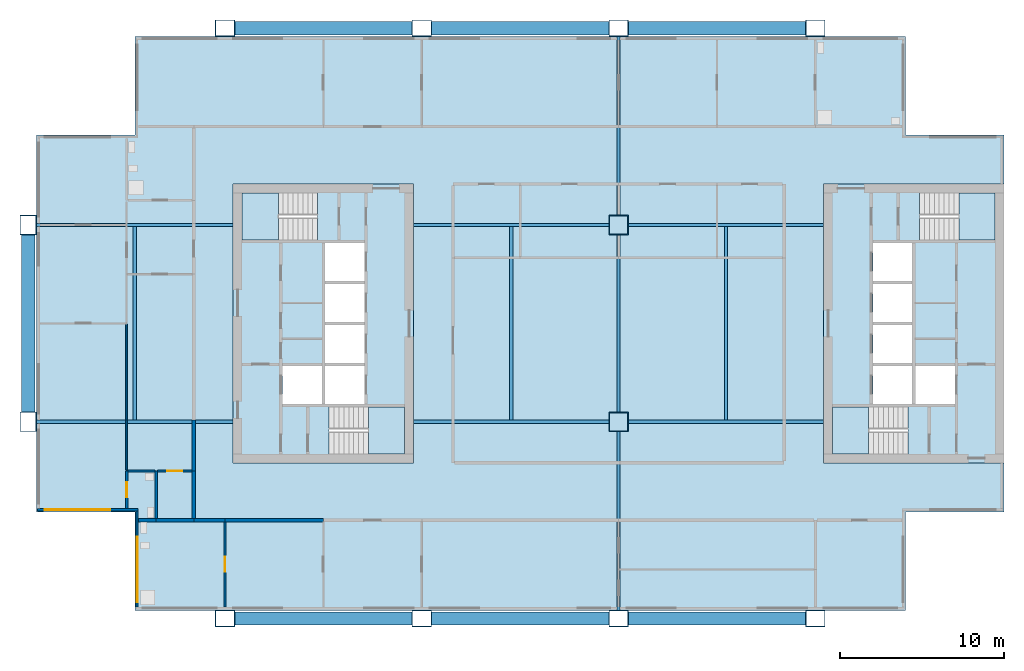
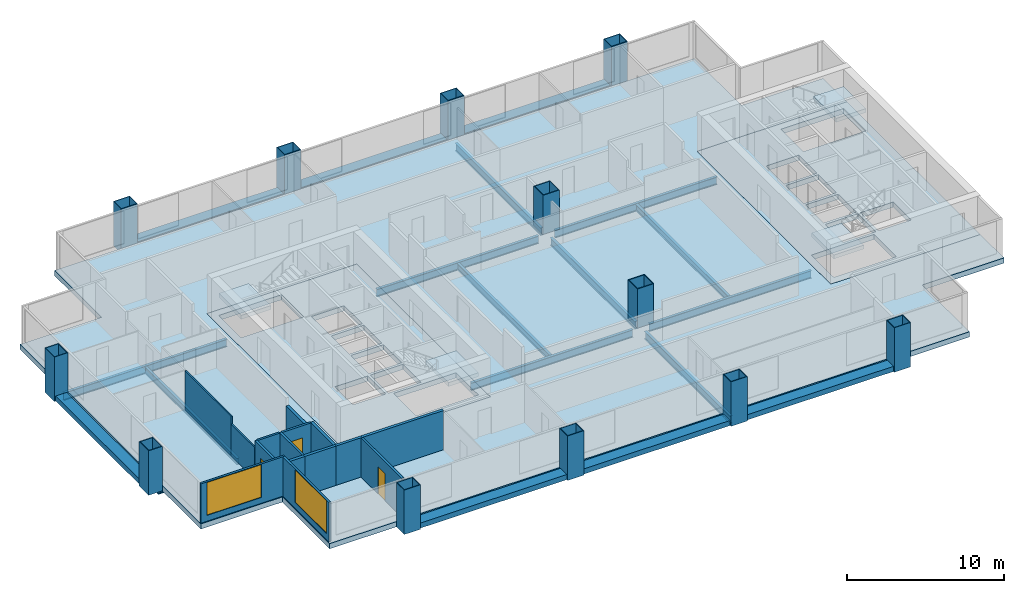
# One storey, part 1 of 8: 19 beams, 15 walls, 12 columns, 7 slabs, 3 doors, 2 windows, 5 openings, 4 elements without a shape of their own.
"""IFC4 building model written with IfcOpenShell, lengths in metres."""

import ifcopenshell
import ifcopenshell.guid

model = None  # the IFC model being written
_history = None  # IfcOwnerHistory: only IFC2X3 demands one
_inside = {}  # id of a spatial element -> (the spatial element, [elements in it])
_under = {}  # id of a project, library or spatial element -> (it, [spatial elements below it])
_declared = {}  # id of a project -> (the project, [libraries it declares])
_typed = {}  # id of a type object -> (the type object, [elements of that type])
_made_of = {}  # id of a material, layer set ... -> (it, [elements and type objects made of it])


def new_model(schema):
    """Start an empty IFC model of exactly this schema.

    Asked for "IFC4X3", IfcOpenShell would pick the latest addendum, in which some entities
    have other attributes; the version numbers below select the first issue.
    IFC2X3 requires an IfcOwnerHistory on every rooted entity: one is made here for all.
    """
    global model, _history
    if schema == "IFC4X3":
        model = ifcopenshell.file(schema_version=(4, 3, 0, 0))
    else:
        model = ifcopenshell.file(schema=schema)
    _inside.clear()
    _under.clear()
    _declared.clear()
    _typed.clear()
    _made_of.clear()
    _history = None
    if model.schema == "IFC2X3":
        org = make("IfcOrganization", Name="unknown")
        user = make(
            "IfcPersonAndOrganization",
            ThePerson=make("IfcPerson", FamilyName="unknown"),
            TheOrganization=org,
        )
        app = make(
            "IfcApplication",
            ApplicationDeveloper=org,
            Version="unknown",
            ApplicationFullName="unknown",
            ApplicationIdentifier="unknown",
        )
        _history = make(
            "IfcOwnerHistory",
            OwningUser=user,
            OwningApplication=app,
            ChangeAction="ADDED",
            CreationDate=0,
        )
    return model


def make(cls, **values):
    """One entity of the class cls with the attributes given. An attribute that is None is left unset."""
    return model.create_entity(
        cls, **{name: value for name, value in values.items() if value is not None}
    )


def rooted(cls, **values):
    """An entity with a GlobalId (a new one), such as an element, a storey or a relation."""
    return make(cls, GlobalId=ifcopenshell.guid.new(), OwnerHistory=_history, **values)


def si_unit(unit_type, name, prefix=None):
    """IfcSIUnit, for example si_unit("LENGTHUNIT", "METRE", prefix="MILLI")."""
    return make("IfcSIUnit", UnitType=unit_type, Prefix=prefix, Name=name)


def assignment(units):
    """IfcUnitAssignment: the units of a project."""
    return None if units is None else make("IfcUnitAssignment", Units=units)


def point(xyz):
    """IfcCartesianPoint."""
    return None if xyz is None else make("IfcCartesianPoint", Coordinates=xyz)


def direction(xyz):
    """IfcDirection."""
    return None if xyz is None else make("IfcDirection", DirectionRatios=xyz)


def frame(location, z_axis=None, x_axis=None):
    """IfcAxis2Placement3D, a coordinate frame: its origin and axes. An axis left out is left unset."""
    return make(
        "IfcAxis2Placement3D",
        Location=point(location),
        Axis=direction(z_axis),
        RefDirection=direction(x_axis),
    )


def frame_2d(location, x_axis=None):
    """IfcAxis2Placement2D, a coordinate frame in the plane: its origin and x axis."""
    return make(
        "IfcAxis2Placement2D", Location=point(location), RefDirection=direction(x_axis)
    )


def origin():
    """The frame at (0, 0, 0) with its axes left unset."""
    return frame((0.0, 0.0, 0.0))


def origin_2d():
    """The frame at (0, 0) in the plane with its x axis left unset."""
    return frame_2d((0.0, 0.0))


def place(relative_to, where):
    """IfcLocalPlacement: puts the frame where relative to a parent placement (None: the world)."""
    return make(
        "IfcLocalPlacement", PlacementRelTo=relative_to, RelativePlacement=where
    )


def context(
    kind, dimensions, precision=None, world=None, true_north=None, identifier=None
):
    """IfcGeometricRepresentationContext, for example the 3D "Model" context."""
    return make(
        "IfcGeometricRepresentationContext",
        ContextIdentifier=identifier,
        ContextType=kind,
        CoordinateSpaceDimension=dimensions,
        Precision=precision,
        WorldCoordinateSystem=world,
        TrueNorth=true_north,
    )


def subcontext(parent, identifier, kind, view, scale=None):
    """IfcGeometricRepresentationSubContext, for example "Body" below "Model"."""
    return make(
        "IfcGeometricRepresentationSubContext",
        ContextIdentifier=identifier,
        ContextType=kind,
        ParentContext=parent,
        TargetScale=scale,
        TargetView=view,
    )


def project(units=None, contexts=None):
    """IfcProject with its units and contexts."""
    return rooted(
        "IfcProject",
        Name="project",
        RepresentationContexts=contexts,
        UnitsInContext=assignment(units),
    )


def spatial(cls, under=None, at=None, **own):
    """A site, building, storey or space (cls), placed at a placement, below another one or the project."""
    s = rooted(cls, ObjectPlacement=at, **own)
    if under is not None:
        _under.setdefault(under.id(), (under, []))[1].append(s)
    return s


def polyline(points):
    """IfcPolyline through the points."""
    return make("IfcPolyline", Points=[point(p) for p in points])


def profile(cls, at=None, kind="AREA", **sizes):
    """A parametric profile (cls). Its sizes go by their IFC names, for example OverallWidth=200.0."""
    return make(cls, ProfileType=kind, Position=at, **sizes)


def rectangle(**sizes):
    """IfcRectangleProfileDef."""
    return profile("IfcRectangleProfileDef", **sizes)


def hollow_rectangle(**sizes):
    """IfcRectangleHollowProfileDef."""
    return profile("IfcRectangleHollowProfileDef", **sizes)


def i_section(**sizes):
    """IfcIShapeProfileDef."""
    return profile("IfcIShapeProfileDef", **sizes)


def outline(outer, holes=None, kind="AREA"):
    """IfcArbitraryClosedProfileDef: a profile drawn as a closed curve; with holes, ...WithVoids."""
    if holes is None:
        return make("IfcArbitraryClosedProfileDef", ProfileType=kind, OuterCurve=outer)
    return make(
        "IfcArbitraryProfileDefWithVoids",
        ProfileType=kind,
        OuterCurve=outer,
        InnerCurves=holes,
    )


def extrude(swept, where, along, depth):
    """IfcExtrudedAreaSolid: the profile swept, set in the frame where, extruded along a direction by depth."""
    return make(
        "IfcExtrudedAreaSolid",
        SweptArea=swept,
        Position=where,
        ExtrudedDirection=direction(along),
        Depth=depth,
    )


def shape(context_of_items, identifier, shape_type, items):
    """IfcShapeRepresentation: the items that make up one representation, for example the "Body"."""
    return make(
        "IfcShapeRepresentation",
        ContextOfItems=context_of_items,
        RepresentationIdentifier=identifier,
        RepresentationType=shape_type,
        Items=items,
    )


def material(Name=None, Category=None):
    """IfcMaterial."""
    return make("IfcMaterial", Name=Name, Category=Category)


def layer(
    of_material, thickness, ventilated=None, Name=None, Category=None, Priority=None
):
    """IfcMaterialLayer: one layer of a wall or slab, of a material (None: an air gap)."""
    return make(
        "IfcMaterialLayer",
        Material=of_material,
        LayerThickness=thickness,
        IsVentilated=ventilated,
        Name=Name,
        Category=Category,
        Priority=Priority,
    )


def layer_set(layers, Name=None):
    """IfcMaterialLayerSet."""
    return make("IfcMaterialLayerSet", MaterialLayers=layers, LayerSetName=Name)


def material_profile(
    of_material, cross_section, Name=None, Category=None, Priority=None
):
    """IfcMaterialProfile: a cross section and its material."""
    return make(
        "IfcMaterialProfile",
        Name=Name,
        Material=of_material,
        Profile=cross_section,
        Priority=Priority,
        Category=Category,
    )


def profile_set(profiles, Name=None, composite=None):
    """IfcMaterialProfileSet."""
    return make(
        "IfcMaterialProfileSet",
        Name=Name,
        MaterialProfiles=profiles,
        CompositeProfile=composite,
    )


def made_of(thing, what):
    """Note that an element or type object is made of a material, layer set ...; save() writes the relation."""
    if what is not None:
        _made_of.setdefault(what.id(), (what, []))[1].append(thing)
    return thing


def type_object(cls, material=None, **own):
    """A type object (cls), such as IfcWallType, which elements share."""
    return made_of(rooted(cls, **own), material)


def element(
    cls,
    number,
    at=None,
    inside=None,
    cuts=None,
    type_object=None,
    material=None,
    context=None,
    identifier="Body",
    shape_type=None,
    held_by="IfcProductDefinitionShape",
    body=None,
    shapes=None,
    **own,
):
    """One element of the class cls, such as IfcWall. Its Tag is "e" and its number.

    at: its placement. inside: the storey or other place that contains it. cuts: it is an
    opening in that element (IfcRelVoidsElement). A single representation is given by context,
    identifier, shape_type and body (its items); several are given by shapes. held_by: the class
    of the entity that holds the representations. save() writes the other relations.
    """
    e = rooted(cls, Tag="e%d" % number, ObjectPlacement=at, **own)
    if body is not None:
        shapes = [shape(context, identifier, shape_type, body)]
    if shapes is not None:
        e.Representation = make(held_by, Representations=shapes)
    if inside is not None:
        _inside.setdefault(inside.id(), (inside, []))[1].append(e)
    if cuts is not None:
        rooted(
            "IfcRelVoidsElement", RelatingBuildingElement=cuts, RelatedOpeningElement=e
        )
    if type_object is not None:
        _typed.setdefault(type_object.id(), (type_object, []))[1].append(e)
    return made_of(e, material)


def fill(opening, filler):
    """IfcRelFillsElement: the door or window that sits in an opening."""
    return rooted(
        "IfcRelFillsElement",
        RelatingOpeningElement=opening,
        RelatedBuildingElement=filler,
    )


def aggregate(whole, parts):
    """IfcRelAggregates: a whole, such as a stair, and the parts it consists of."""
    return rooted("IfcRelAggregates", RelatingObject=whole, RelatedObjects=parts)


def save(model, path):
    """Write the relations noted so far, then the file.

    IfcRelAggregates (storeys below a building ...), IfcRelContainedInSpatialStructure (elements
    in a storey), IfcRelDefinesByType, IfcRelAssociatesMaterial and IfcRelDeclares: one each for
    every whole, place, type object, material and project.
    """
    for whole, parts in _under.values():
        aggregate(whole, parts)
    for where, things in _inside.values():
        rooted(
            "IfcRelContainedInSpatialStructure",
            RelatedElements=things,
            RelatingStructure=where,
        )
    for kind, things in _typed.values():
        rooted("IfcRelDefinesByType", RelatedObjects=things, RelatingType=kind)
    for what, things in _made_of.values():
        rooted("IfcRelAssociatesMaterial", RelatedObjects=things, RelatingMaterial=what)
    for by, libraries in _declared.values():
        rooted("IfcRelDeclares", RelatingContext=by, RelatedDefinitions=libraries)
    model.write(path)


model = new_model("IFC4")

# Units and contexts
model_context = context("Model", 3, precision=1e-05, world=origin(), true_north=direction((0.0, 1.0)))
body_context = subcontext(model_context, "Body", "Model", "MODEL_VIEW")
ifc_project = project(units=[si_unit("LENGTHUNIT", "METRE"), si_unit("AREAUNIT", "SQUARE_METRE"), si_unit("VOLUMEUNIT", "CUBIC_METRE"), si_unit("PLANEANGLEUNIT", "RADIAN"), si_unit("MASSUNIT", "GRAM", prefix="KILO")], contexts=[model_context])

# Site, building, storey
site_placement = place(None, origin())
site = spatial("IfcSite", under=ifc_project, at=site_placement, CompositionType="ELEMENT")
building_placement = place(site_placement, origin())
building = spatial("IfcBuilding", under=site, at=building_placement, Name="Kitamizu Gate Tower and Museum", CompositionType="ELEMENT")
storey_placement = place(building_placement, frame((0.0, 0.0, 203.10009765625)))
storey = spatial("IfcBuildingStorey", under=building, at=storey_placement, Name="L54", CompositionType="ELEMENT", Elevation=203.10009765625)

# Columns
ifc_material_1 = material(Name="Steel SM490A bronze coated", Category="steel")
ifc_material_profile_1 = material_profile(ifc_material_1, hollow_rectangle(XDim=1.199951171875, YDim=1.0, WallThickness=0.044921875, at=origin_2d()), Name="BOX 1200x1000x45")
ifc_profile_set_1 = profile_set([ifc_material_profile_1], Name="Steel SM490A bronze coated")
column_type_1 = type_object("IfcColumnType", Name="Exoskeleton column XC7 BOX 1200x1000x45", PredefinedType="COLUMN", material=ifc_profile_set_1)
for number, where, z_axis, x_axis, name in (
    (1, (0.0, 24.0, -0.400146484375), (0.0, 0.0, 1.0), (0.0, 1.0, 0.0), "Column XC7 1C L54"),
    (2, (0.0, 36.0, -0.400146484375), (0.0, 0.0, 1.0), (0.0, 1.0, 0.0), "Column XC7 1D L54"),
    (3, (12.0, 12.0, -0.400146484375), (0.0, 0.0, 1.0), (1.0, 0.0, 0.0), "Column XC7 2B L54"),
    (4, (12.0, 48.0, -0.400146484375), (0.0, 0.0, 1.0), (1.0, 0.0, 0.0), "Column XC7 2E L54"),
    (5, (24.0, 12.0, -0.400146484375), (0.0, 0.0, 1.0), (1.0, 0.0, 0.0), "Column XC7 3B L54"),
    (6, (24.0, 48.0, -0.400146484375), (0.0, 0.0, 1.0), (1.0, 0.0, 0.0), "Column XC7 3E L54"),
    (7, (36.0, 12.0, -0.400146484375), (0.0, 0.0, 1.0), (1.0, 0.0, 0.0), "Column XC7 4B L54"),
    (8, (36.0, 48.0, -0.400146484375), (0.0, 0.0, 1.0), (1.0, 0.0, 0.0), "Column XC7 4E L54"),
    (9, (48.0, 12.0, -0.400146484375), (0.0, 0.0, 1.0), (1.0, 0.0, 0.0), "Column XC7 5B L54"),
    (10, (48.0, 48.0, -0.400146484375), (0.0, 0.0, 1.0), (1.0, 0.0, 0.0), "Column XC7 5E L54"),
):
    element("IfcColumn", number, at=place(storey_placement, frame(where, z_axis=z_axis, x_axis=x_axis)), inside=storey, type_object=column_type_1, Name=name, PredefinedType="COLUMN", context=body_context, shape_type="SweptSolid", body=[
        extrude(hollow_rectangle(XDim=1.199951171875, YDim=1.0, WallThickness=0.044921875, at=origin_2d()), origin(), (0.0, 0.0, 1.0), 3.449951171875),
    ])
ifc_material_2 = material(Name="Steel SM490A", Category="steel")
ifc_material_profile_2 = material_profile(ifc_material_2, hollow_rectangle(XDim=1.199951171875, YDim=1.199951171875, WallThickness=0.050048828125, at=origin_2d()), Name="BOX 1200x1200x50")
ifc_profile_set_2 = profile_set([ifc_material_profile_2], Name="Steel SM490A")
column_type_2 = type_object("IfcColumnType", Name="Interior column IC4 BOX 1200x1200x50", PredefinedType="COLUMN", material=ifc_profile_set_2)
for number, where, z_axis, x_axis, name in (
    (11, (36.0, 24.0, 0.0), (0.0, 0.0, 1.0), (1.0, 0.0, 0.0), "Column IC4 4C L54"),
    (12, (36.0, 36.0, 0.0), (0.0, 0.0, 1.0), (1.0, 0.0, 0.0), "Column IC4 4D L54"),
):
    element("IfcColumn", number, at=place(storey_placement, frame(where, z_axis=z_axis, x_axis=x_axis)), inside=storey, type_object=column_type_2, Name=name, PredefinedType="COLUMN", context=body_context, shape_type="SweptSolid", body=[
        extrude(hollow_rectangle(XDim=1.199951171875, YDim=1.199951171875, WallThickness=0.050048828125, at=origin_2d()), origin(), (0.0, 0.0, 1.0), 3.0498046875),
    ])

# Beams
ifc_material_3 = material(Name="Steel SM490A bronze coated", Category="steel")
ifc_material_profile_3 = material_profile(ifc_material_3, hollow_rectangle(XDim=0.800048828125, YDim=0.39990234375, WallThickness=0.0400390625, at=origin_2d()), Name="BOX 800x400x40")
ifc_profile_set_3 = profile_set([ifc_material_profile_3], Name="Steel SM490A bronze coated")
beam_type_1 = type_object("IfcBeamType", Name="Exoskeleton spandrel beam SB1 BOX 800x400x40", PredefinedType="SPANDREL", material=ifc_profile_set_3)
for number, where, z_axis, x_axis, name in (
    (13, (12.60009765625, 12.0, -0.2001953125), (1.0, 0.0, 0.0), (0.0, 1.0, 0.0), "Exoskeleton spandrel beam south 12 L54"),
    (14, (24.60009765625, 12.0, -0.2001953125), (1.0, 0.0, 0.0), (0.0, 1.0, 0.0), "Exoskeleton spandrel beam south 24 L54"),
    (15, (36.60009765625, 12.0, -0.2001953125), (1.0, 0.0, 0.0), (0.0, 1.0, 0.0), "Exoskeleton spandrel beam south 36 L54"),
    (16, (12.60009765625, 48.0, -0.2001953125), (1.0, 0.0, 0.0), (0.0, 1.0, 0.0), "Exoskeleton spandrel beam north 12 L54"),
    (17, (24.60009765625, 48.0, -0.2001953125), (1.0, 0.0, 0.0), (0.0, 1.0, 0.0), "Exoskeleton spandrel beam north 24 L54"),
    (18, (36.60009765625, 48.0, -0.2001953125), (1.0, 0.0, 0.0), (0.0, 1.0, 0.0), "Exoskeleton spandrel beam north 36 L54"),
    (19, (0.0, 24.60009765625, -0.2001953125), (0.0, 1.0, 0.0), (-1.0, 0.0, 0.0), "Exoskeleton spandrel beam west 24 L54"),
):
    element("IfcBeam", number, at=place(storey_placement, frame(where, z_axis=z_axis, x_axis=x_axis)), inside=storey, type_object=beam_type_1, Name=name, PredefinedType="SPANDREL", context=body_context, shape_type="SweptSolid", body=[
        extrude(hollow_rectangle(XDim=0.800048828125, YDim=0.39990234375, WallThickness=0.0400390625, at=origin_2d()), origin(), (0.0, 0.0, 1.0), 10.7998046875),
    ])
ifc_material_4 = material(Name="Steel SM490A", Category="steel")
ifc_material_profile_4 = material_profile(ifc_material_4, i_section(OverallWidth=0.199951171875, OverallDepth=0.5, WebThickness=0.010009765625, FlangeThickness=0.01611328125, FilletRadius=0.02001953125, at=origin_2d()), Name="H-500x200x10x16")
ifc_profile_set_4 = profile_set([ifc_material_profile_4], Name="Steel SM490A")
beam_type_2 = type_object("IfcBeamType", Name="Floor beam FB1 H 500x200x10x16", PredefinedType="BEAM", material=ifc_profile_set_4)
for number, where, z_axis, x_axis, name in (
    (20, (6.5, 24.10009765625, -0.650146484375), (0.0, 1.0, 0.0), (-1.0, 0.0, 0.0), "Floor beam FB1 L54-1"),
    (21, (29.449951171875, 24.10009765625, -0.650146484375), (0.0, 1.0, 0.0), (-1.0, 0.0, 0.0), "Floor beam FB1 L54-2"),
    (22, (42.550048828125, 24.10009765625, -0.650146484375), (0.0, 1.0, 0.0), (-1.0, 0.0, 0.0), "Floor beam FB1 L54-3"),
):
    element("IfcBeam", number, at=place(storey_placement, frame(where, z_axis=z_axis, x_axis=x_axis)), inside=storey, type_object=beam_type_2, Name=name, PredefinedType="BEAM", context=body_context, shape_type="SweptSolid", body=[
        extrude(i_section(OverallWidth=0.199951171875, OverallDepth=0.5, WebThickness=0.010009765625, FlangeThickness=0.01611328125, FilletRadius=0.02001953125, at=origin_2d()), origin(), (0.0, 0.0, 1.0), 11.7998046875),
    ])
ifc_material_5 = material(Name="Steel SM490A", Category="steel")
ifc_material_profile_5 = material_profile(ifc_material_5, i_section(OverallWidth=0.199951171875, OverallDepth=0.60009765625, WebThickness=0.010986328125, FlangeThickness=0.01708984375, FilletRadius=0.02197265625, at=origin_2d()), Name="H-600x200x11x17")
ifc_profile_set_5 = profile_set([ifc_material_profile_5], Name="Steel SM490A")
beam_type_3 = type_object("IfcBeamType", Name="Floor girder FG1 H 600x200x11x17", PredefinedType="BEAM", material=ifc_profile_set_5)
beam_1_placement = place(storey_placement, frame((36.0, 12.5, -0.7001953125), z_axis=(0.0, 1.0, 0.0), x_axis=(-1.0, 0.0, 0.0)))
element("IfcBeam", 23, at=beam_1_placement, inside=storey, type_object=beam_type_3, Name="Floor girder FG1 x36 L54", PredefinedType="BEAM", context=body_context, shape_type="SweptSolid", body=[
    extrude(i_section(OverallWidth=0.199951171875, OverallDepth=0.60009765625, WebThickness=0.010986328125, FlangeThickness=0.01708984375, FilletRadius=0.02197265625, at=origin_2d()), origin(), (0.0, 0.0, 1.0), 10.89990234375),
])
beam_2_placement = place(storey_placement, frame((36.0, 24.60009765625, -0.7001953125), z_axis=(0.0, 1.0, 0.0), x_axis=(-1.0, 0.0, 0.0)))
element("IfcBeam", 24, at=beam_2_placement, inside=storey, type_object=beam_type_3, Name="Floor girder FG1 x36 L54", PredefinedType="BEAM", context=body_context, shape_type="SweptSolid", body=[
    extrude(i_section(OverallWidth=0.199951171875, OverallDepth=0.60009765625, WebThickness=0.010986328125, FlangeThickness=0.01708984375, FilletRadius=0.02197265625, at=origin_2d()), origin(), (0.0, 0.0, 1.0), 10.7998046875),
])
beam_3_placement = place(storey_placement, frame((36.0, 36.60009765625, -0.7001953125), z_axis=(0.0, 1.0, 0.0), x_axis=(-1.0, 0.0, 0.0)))
element("IfcBeam", 25, at=beam_3_placement, inside=storey, type_object=beam_type_3, Name="Floor girder FG1 x36 L54", PredefinedType="BEAM", context=body_context, shape_type="SweptSolid", body=[
    extrude(i_section(OverallWidth=0.199951171875, OverallDepth=0.60009765625, WebThickness=0.010986328125, FlangeThickness=0.01708984375, FilletRadius=0.02197265625, at=origin_2d()), origin(), (0.0, 0.0, 1.0), 10.89990234375),
])
beam_4_placement = place(storey_placement, frame((0.5, 24.0, -0.7001953125), z_axis=(1.0, 0.0, 0.0), x_axis=(0.0, 1.0, 0.0)))
element("IfcBeam", 26, at=beam_4_placement, inside=storey, type_object=beam_type_3, Name="Floor girder FG1 y24 L54", PredefinedType="BEAM", context=body_context, shape_type="SweptSolid", body=[
    extrude(i_section(OverallWidth=0.199951171875, OverallDepth=0.60009765625, WebThickness=0.010986328125, FlangeThickness=0.01708984375, FilletRadius=0.02197265625, at=origin_2d()), origin(), (0.0, 0.0, 1.0), 12.0),
])
for number, where, z_axis, x_axis, name in (
    (27, (23.5, 24.0, -0.7001953125), (1.0, 0.0, 0.0), (0.0, 1.0, 0.0), "Floor girder FG1 y24 L54"),
    (28, (36.60009765625, 24.0, -0.7001953125), (1.0, 0.0, 0.0), (0.0, 1.0, 0.0), "Floor girder FG1 y24 L54"),
):
    element("IfcBeam", number, at=place(storey_placement, frame(where, z_axis=z_axis, x_axis=x_axis)), inside=storey, type_object=beam_type_3, Name=name, PredefinedType="BEAM", context=body_context, shape_type="SweptSolid", body=[
        extrude(i_section(OverallWidth=0.199951171875, OverallDepth=0.60009765625, WebThickness=0.010986328125, FlangeThickness=0.01708984375, FilletRadius=0.02197265625, at=origin_2d()), origin(), (0.0, 0.0, 1.0), 11.89990234375),
    ])
beam_5_placement = place(storey_placement, frame((0.5, 36.0, -0.7001953125), z_axis=(1.0, 0.0, 0.0), x_axis=(0.0, 1.0, 0.0)))
element("IfcBeam", 29, at=beam_5_placement, inside=storey, type_object=beam_type_3, Name="Floor girder FG1 y36 L54", PredefinedType="BEAM", context=body_context, shape_type="SweptSolid", body=[
    extrude(i_section(OverallWidth=0.199951171875, OverallDepth=0.60009765625, WebThickness=0.010986328125, FlangeThickness=0.01708984375, FilletRadius=0.02197265625, at=origin_2d()), origin(), (0.0, 0.0, 1.0), 12.0),
])
for number, where, z_axis, x_axis, name in (
    (30, (23.5, 36.0, -0.7001953125), (1.0, 0.0, 0.0), (0.0, 1.0, 0.0), "Floor girder FG1 y36 L54"),
    (31, (36.60009765625, 36.0, -0.7001953125), (1.0, 0.0, 0.0), (0.0, 1.0, 0.0), "Floor girder FG1 y36 L54"),
):
    element("IfcBeam", number, at=place(storey_placement, frame(where, z_axis=z_axis, x_axis=x_axis)), inside=storey, type_object=beam_type_3, Name=name, PredefinedType="BEAM", context=body_context, shape_type="SweptSolid", body=[
        extrude(i_section(OverallWidth=0.199951171875, OverallDepth=0.60009765625, WebThickness=0.010986328125, FlangeThickness=0.01708984375, FilletRadius=0.02197265625, at=origin_2d()), origin(), (0.0, 0.0, 1.0), 11.89990234375),
    ])

# Slabs
ifc_material_6 = material(Name="Concrete Fc36", Category="concrete")
ifc_layer_1 = layer(ifc_material_6, 0.39990234375)
ifc_layer_set_1 = layer_set([ifc_layer_1], Name="Concrete Fc36")
slab_type_1 = type_object("IfcSlabType", Name="Core floor slab 400", PredefinedType="FLOOR", material=ifc_layer_set_1)
slab_1_placement = place(storey_placement, frame((0.0, 0.0, -0.400146484375)))
element("IfcSlab", 32, at=slab_1_placement, inside=storey, type_object=slab_type_1, Name="Core floor slab W", PredefinedType="FLOOR", context=body_context, shape_type="SweptSolid", body=[
    extrude(outline(polyline([(12.5, 21.5), (23.5, 21.5), (23.5, 38.5), (12.5, 38.5), (12.5, 21.5)]), holes=[polyline([(15.5, 25.10009765625), (17.89990234375, 25.10009765625), (17.89990234375, 27.39990234375), (15.5, 27.39990234375), (15.5, 25.10009765625)]), polyline([(18.10009765625, 25.10009765625), (20.5, 25.10009765625), (20.5, 27.39990234375), (18.10009765625, 27.39990234375), (18.10009765625, 25.10009765625)]), polyline([(18.10009765625, 27.60009765625), (20.5, 27.60009765625), (20.5, 29.89990234375), (18.10009765625, 29.89990234375), (18.10009765625, 27.60009765625)]), polyline([(18.10009765625, 30.10009765625), (20.5, 30.10009765625), (20.5, 32.39990234375), (18.10009765625, 32.39990234375), (18.10009765625, 30.10009765625)]), polyline([(18.10009765625, 32.60009765625), (20.5, 32.60009765625), (20.5, 34.89990234375), (18.10009765625, 34.89990234375), (18.10009765625, 32.60009765625)]), polyline([(18.3505859375, 22.050048828125), (22.949951171875, 22.050048828125), (22.949951171875, 24.89990234375), (18.3505859375, 24.89990234375), (18.3505859375, 22.050048828125)]), polyline([(13.050048828125, 35.10009765625), (17.6494140625, 35.10009765625), (17.6494140625, 37.949951171875), (13.050048828125, 37.949951171875), (13.050048828125, 35.10009765625)])]), origin(), (0.0, 0.0, 1.0), 0.400146484375),
])
slab_2_placement = place(storey_placement, frame((0.0, 0.0, -0.400146484375)))
element("IfcSlab", 33, at=slab_2_placement, inside=storey, type_object=slab_type_1, Name="Core floor slab E", PredefinedType="FLOOR", context=body_context, shape_type="SweptSolid", body=[
    extrude(outline(polyline([(48.5, 21.5), (59.5, 21.5), (59.5, 38.5), (48.5, 38.5), (48.5, 21.5)]), holes=[polyline([(54.10009765625, 25.10009765625), (56.5, 25.10009765625), (56.5, 27.39990234375), (54.10009765625, 27.39990234375), (54.10009765625, 25.10009765625)]), polyline([(51.5, 25.10009765625), (53.89990234375, 25.10009765625), (53.89990234375, 27.39990234375), (51.5, 27.39990234375), (51.5, 25.10009765625)]), polyline([(51.5, 27.60009765625), (53.89990234375, 27.60009765625), (53.89990234375, 29.89990234375), (51.5, 29.89990234375), (51.5, 27.60009765625)]), polyline([(51.5, 30.10009765625), (53.89990234375, 30.10009765625), (53.89990234375, 32.39990234375), (51.5, 32.39990234375), (51.5, 30.10009765625)]), polyline([(51.5, 32.60009765625), (53.89990234375, 32.60009765625), (53.89990234375, 34.89990234375), (51.5, 34.89990234375), (51.5, 32.60009765625)]), polyline([(49.050048828125, 22.050048828125), (53.6494140625, 22.050048828125), (53.6494140625, 24.89990234375), (49.050048828125, 24.89990234375), (49.050048828125, 22.050048828125)]), polyline([(54.3505859375, 35.10009765625), (58.949951171875, 35.10009765625), (58.949951171875, 37.949951171875), (54.3505859375, 37.949951171875), (54.3505859375, 35.10009765625)])]), origin(), (0.0, 0.0, 1.0), 0.400146484375),
])
ifc_material_7 = material(Name="Concrete Fc36", Category="concrete")
ifc_layer_2 = layer(ifc_material_7, 0.39990234375)
ifc_layer_set_2 = layer_set([ifc_layer_2], Name="Concrete Fc36")
slab_type_2 = type_object("IfcSlabType", Name="Post tensioned flat slab 400", PredefinedType="FLOOR", material=ifc_layer_set_2)
slab_3_placement = place(storey_placement, frame((0.0, 0.0, -0.400146484375)))
element("IfcSlab", 34, at=slab_3_placement, inside=storey, type_object=slab_type_2, Name="Floor slab L54-1", PredefinedType="FLOOR", context=body_context, shape_type="SweptSolid", body=[
    extrude(outline(polyline([(0.5, 18.5), (0.5, 41.5), (6.5, 41.5), (6.5, 47.5), (53.5, 47.5), (53.5, 41.5), (59.5, 41.5), (59.5, 38.5), (48.5, 38.5), (48.5, 21.5), (59.5, 21.5), (59.5, 18.5), (53.5, 18.5), (53.5, 12.5), (6.5, 12.5), (6.5, 18.5), (0.5, 18.5)]), holes=[polyline([(12.5, 38.5), (12.5, 21.5), (23.5, 21.5), (23.5, 38.5), (12.5, 38.5)])]), origin(), (0.0, 0.0, 1.0), 0.400146484375),
])

# Stair, slab
ifc_material_8 = material(Name="Concrete Fc42", Category="concrete")
stair_type = type_object("IfcStairType", Name="Exit stair 1325 wide 192 rise 300 going", PredefinedType="HALF_TURN_STAIR", material=ifc_material_8)
stair_1_placement = place(storey_placement, origin())
stair_1 = element("IfcStair", 35, at=stair_1_placement, inside=storey, type_object=stair_type, Name="Exit stair ST1", PredefinedType="HALF_TURN_STAIR")
ifc_material_9 = material(Name="Concrete Fc42", Category="concrete")
ifc_layer_3 = layer(ifc_material_9, 0.300048828125)
ifc_layer_set_3 = layer_set([ifc_layer_3], Name="Concrete Fc42")
slab_type_3 = type_object("IfcSlabType", Name="Stair landing 300", PredefinedType="LANDING", material=ifc_layer_set_3)
slab_4_placement = place(storey_placement, frame((0.0, 0.0, 1.4248046875)))
slab_4 = element("IfcSlab", 36, at=slab_4_placement, type_object=slab_type_3, Name="ST1 landing 1", PredefinedType="LANDING", context=body_context, shape_type="SweptSolid", body=[
    extrude(outline(polyline([(20.75, 22.050048828125), (22.949951171875, 22.050048828125), (22.949951171875, 24.89990234375), (20.75, 24.89990234375), (20.75, 22.050048828125)])), origin(), (0.0, 0.0, 1.0), 0.300048828125),
])
aggregate(stair_1, [slab_4])

stair_2_placement = place(storey_placement, origin())
stair_2 = element("IfcStair", 37, at=stair_2_placement, inside=storey, type_object=stair_type, Name="Exit stair ST2", PredefinedType="HALF_TURN_STAIR")
slab_5_placement = place(storey_placement, frame((0.0, 0.0, 1.4248046875)))
slab_5 = element("IfcSlab", 38, at=slab_5_placement, type_object=slab_type_3, Name="ST2 landing 1", PredefinedType="LANDING", context=body_context, shape_type="SweptSolid", body=[
    extrude(outline(polyline([(13.050048828125, 35.10009765625), (15.25, 35.10009765625), (15.25, 37.949951171875), (13.050048828125, 37.949951171875), (13.050048828125, 35.10009765625)])), origin(), (0.0, 0.0, 1.0), 0.300048828125),
])
aggregate(stair_2, [slab_5])

stair_3_placement = place(storey_placement, origin())
stair_3 = element("IfcStair", 39, at=stair_3_placement, inside=storey, type_object=stair_type, Name="Exit stair ST3", PredefinedType="HALF_TURN_STAIR")
slab_6_placement = place(storey_placement, frame((0.0, 0.0, 1.4248046875)))
slab_6 = element("IfcSlab", 40, at=slab_6_placement, type_object=slab_type_3, Name="ST3 landing 1", PredefinedType="LANDING", context=body_context, shape_type="SweptSolid", body=[
    extrude(outline(polyline([(49.050048828125, 22.050048828125), (51.25, 22.050048828125), (51.25, 24.89990234375), (49.050048828125, 24.89990234375), (49.050048828125, 22.050048828125)])), origin(), (0.0, 0.0, 1.0), 0.300048828125),
])
aggregate(stair_3, [slab_6])

stair_4_placement = place(storey_placement, origin())
stair_4 = element("IfcStair", 41, at=stair_4_placement, inside=storey, type_object=stair_type, Name="Exit stair ST4", PredefinedType="HALF_TURN_STAIR")
slab_7_placement = place(storey_placement, frame((0.0, 0.0, 1.4248046875)))
slab_7 = element("IfcSlab", 42, at=slab_7_placement, type_object=slab_type_3, Name="ST4 landing 1", PredefinedType="LANDING", context=body_context, shape_type="SweptSolid", body=[
    extrude(outline(polyline([(56.75, 35.10009765625), (58.949951171875, 35.10009765625), (58.949951171875, 37.949951171875), (56.75, 37.949951171875), (56.75, 35.10009765625)])), origin(), (0.0, 0.0, 1.0), 0.300048828125),
])
aggregate(stair_4, [slab_7])

# Walls
ifc_material_10 = material(Name="Gypsum board on galvanised stud")
ifc_layer_4 = layer(ifc_material_10, 0.10009765625)
ifc_layer_set_4 = layer_set([ifc_layer_4], Name="Gypsum board on galvanised stud")
wall_type_1 = type_object("IfcWallType", Name="Partition 100 NOT RATED", PredefinedType="PARTITIONING", material=ifc_layer_set_4)
wall_1_placement = place(storey_placement, frame((6.0, 21.074951171875, 0.0), z_axis=(0.0, 0.0, 1.0), x_axis=(0.0, 1.0, 0.0)))
element("IfcWall", 43, at=wall_1_placement, inside=storey, type_object=wall_type_1, Name="Partition L54-031", PredefinedType="PARTITIONING", context=body_context, shape_type="SweptSolid", body=[
    extrude(rectangle(XDim=3.025146484375, YDim=0.10009765625, at=frame_2d((1.5126953125, 0.0))), origin(), (0.0, 0.0, 1.0), 2.449951171875),
])
wall_2_placement = place(storey_placement, frame((6.0, 24.10009765625, 0.0), z_axis=(0.0, 0.0, 1.0), x_axis=(0.0, 1.0, 0.0)))
element("IfcWall", 44, at=wall_2_placement, inside=storey, type_object=wall_type_1, Name="Partition L54-032", PredefinedType="PARTITIONING", context=body_context, shape_type="SweptSolid", body=[
    extrude(rectangle(XDim=5.849853515625, YDim=0.10009765625, at=frame_2d((2.9248046875, 0.0))), origin(), (0.0, 0.0, 1.0), 3.0498046875),
])

# Wall, opening, door
ifc_material_11 = material(Name="Gypsum board on galvanised stud")
ifc_layer_5 = layer(ifc_material_11, 0.14990234375)
ifc_layer_set_5 = layer_set([ifc_layer_5], Name="Gypsum board on galvanised stud")
wall_type_2 = type_object("IfcWallType", Name="Partition 150", PredefinedType="PARTITIONING", material=ifc_layer_set_5)
wall_3_placement = place(storey_placement, frame((12.0, 12.719970703125, 0.0), z_axis=(0.0, 0.0, 1.0), x_axis=(0.0, 1.0, 0.0)))
wall_3 = element("IfcWall", 45, at=wall_3_placement, inside=storey, type_object=wall_type_2, Name="Partition L54-001", PredefinedType="PARTITIONING", context=body_context, shape_type="SweptSolid", body=[
    extrude(rectangle(XDim=5.179931640625, YDim=0.14990234375, at=frame_2d((2.58984375, 0.0))), origin(), (0.0, 0.0, 1.0), 3.0498046875),
])
opening_1_placement = place(wall_3_placement, frame((2.139892578125, 0.0, 0.0)))
opening_1 = element("IfcOpeningElement", 46, at=opening_1_placement, cuts=wall_3, Name="Opening L54-006", PredefinedType="OPENING", context=body_context, shape_type="SweptSolid", body=[
    extrude(rectangle(XDim=0.89990234375, YDim=2.10009765625, at=frame_2d((0.449951171875, 1.050048828125))), frame((0.0, 0.0849609375, 0.0), z_axis=(0.0, -1.0, 0.0), x_axis=(1.0, 0.0, 0.0)), (0.0, 0.0, 1.0), 0.169921875),
])
ifc_material_12 = material(Name="Timber door set", Category="wood")
door_type = type_object("IfcDoorType", Name="Bathroom door 900", OperationType="NOTDEFINED", PredefinedType="DOOR", material=ifc_material_12)
door_1_placement = place(opening_1_placement, origin())
door_1 = element("IfcDoor", 47, at=door_1_placement, inside=storey, type_object=door_type, Name="Bathroom door L54-006", OperationType="SINGLE_SWING_LEFT", OverallHeight=2.10009765625, OverallWidth=0.89990234375, PredefinedType="DOOR", context=body_context, shape_type="SweptSolid", body=[
    extrude(rectangle(XDim=0.89990234375, YDim=2.10009765625, at=frame_2d((0.449951171875, 1.050048828125))), frame((0.0, 0.02490234375, 0.0), z_axis=(0.0, -1.0, 0.0), x_axis=(1.0, 0.0, 0.0)), (0.0, 0.0, 1.0), 0.050048828125),
])
fill(opening_1, door_1)

wall_4_placement = place(storey_placement, frame((6.0, 18.719970703125, 0.0), z_axis=(0.0, 0.0, 1.0), x_axis=(0.0, 1.0, 0.0)))
wall_4 = element("IfcWall", 48, at=wall_4_placement, inside=storey, type_object=wall_type_2, Name="Partition L54-030", PredefinedType="PARTITIONING", context=body_context, shape_type="SweptSolid", body=[
    extrude(rectangle(XDim=2.280029296875, YDim=0.14990234375, at=frame_2d((1.14013671875, 0.0))), origin(), (0.0, 0.0, 1.0), 3.0498046875),
])
opening_2_placement = place(wall_4_placement, frame((0.68994140625, 0.0, 0.0)))
opening_2 = element("IfcOpeningElement", 49, at=opening_2_placement, cuts=wall_4, Name="Opening L54-019", PredefinedType="OPENING", context=body_context, shape_type="SweptSolid", body=[
    extrude(rectangle(XDim=0.89990234375, YDim=2.10009765625, at=frame_2d((0.449951171875, 1.050048828125))), frame((0.0, 0.0849609375, 0.0), z_axis=(0.0, -1.0, 0.0), x_axis=(1.0, 0.0, 0.0)), (0.0, 0.0, 1.0), 0.169921875),
])
door_2_placement = place(opening_2_placement, frame((0.89990234375, 0.0, 0.0), x_axis=(-1.0, 0.0, 0.0)))
door_2 = element("IfcDoor", 50, at=door_2_placement, inside=storey, type_object=door_type, Name="Bathroom door L54-019", OperationType="SINGLE_SWING_LEFT", OverallHeight=2.10009765625, OverallWidth=0.89990234375, PredefinedType="DOOR", context=body_context, shape_type="SweptSolid", body=[
    extrude(rectangle(XDim=0.89990234375, YDim=2.10009765625, at=frame_2d((0.449951171875, 1.050048828125))), frame((0.0, 0.02490234375, 0.0), z_axis=(0.0, -1.0, 0.0), x_axis=(1.0, 0.0, 0.0)), (0.0, 0.0, 1.0), 0.050048828125),
])
fill(opening_2, door_2)

# Walls
wall_5_placement = place(storey_placement, frame((7.800048828125, 18.10009765625, 0.0), z_axis=(0.0, 0.0, 1.0), x_axis=(0.0, 1.0, 0.0)))
element("IfcWall", 51, at=wall_5_placement, inside=storey, type_object=wall_type_2, Name="Partition L54-038", PredefinedType="PARTITIONING", context=body_context, shape_type="SweptSolid", body=[
    extrude(rectangle(XDim=2.89990234375, YDim=0.14990234375, at=frame_2d((1.449951171875, 0.0))), origin(), (0.0, 0.0, 1.0), 3.0498046875),
])
wall_6_placement = place(storey_placement, frame((7.72509765625, 21.0, 0.0), z_axis=(0.0, 0.0, 1.0), x_axis=(-1.0, 0.0, 0.0)))
element("IfcWall", 52, at=wall_6_placement, inside=storey, type_object=wall_type_2, Name="Partition L54-039", PredefinedType="PARTITIONING", context=body_context, shape_type="SweptSolid", body=[
    extrude(rectangle(XDim=1.650146484375, YDim=0.14990234375, at=frame_2d((0.8251953125, 0.0))), origin(), (0.0, 0.0, 1.0), 3.0498046875),
])

# Wall, opening, door
wall_7_placement = place(storey_placement, frame((10.0, 21.0, 0.0), z_axis=(0.0, 0.0, 1.0), x_axis=(-1.0, 0.0, 0.0)))
wall_7 = element("IfcWall", 53, at=wall_7_placement, inside=storey, type_object=wall_type_2, Name="Partition L54-040", PredefinedType="PARTITIONING", context=body_context, shape_type="SweptSolid", body=[
    extrude(rectangle(XDim=2.125, YDim=0.14990234375, at=frame_2d((1.0625, 0.0))), origin(), (0.0, 0.0, 1.0), 3.0498046875),
])
opening_3_placement = place(wall_7_placement, frame((0.612548828125, 0.0, 0.0)))
opening_3 = element("IfcOpeningElement", 54, at=opening_3_placement, cuts=wall_7, Name="Opening L54-020", PredefinedType="OPENING", context=body_context, shape_type="SweptSolid", body=[
    extrude(rectangle(XDim=0.89990234375, YDim=2.10009765625, at=frame_2d((0.449951171875, 1.050048828125))), frame((0.0, 0.0849609375, 0.0), z_axis=(0.0, -1.0, 0.0), x_axis=(1.0, 0.0, 0.0)), (0.0, 0.0, 1.0), 0.169921875),
])
door_3_placement = place(opening_3_placement, origin())
door_3 = element("IfcDoor", 55, at=door_3_placement, inside=storey, type_object=door_type, Name="Bathroom door L54-020", OperationType="SINGLE_SWING_LEFT", OverallHeight=2.10009765625, OverallWidth=0.89990234375, PredefinedType="DOOR", context=body_context, shape_type="SweptSolid", body=[
    extrude(rectangle(XDim=0.89990234375, YDim=2.10009765625, at=frame_2d((0.449951171875, 1.050048828125))), frame((0.0, 0.02490234375, 0.0), z_axis=(0.0, -1.0, 0.0), x_axis=(1.0, 0.0, 0.0)), (0.0, 0.0, 1.0), 0.050048828125),
])
fill(opening_3, door_3)

# Walls
ifc_material_13 = material(Name="Gypsum board on galvanised stud")
ifc_layer_6 = layer(ifc_material_13, 0.199951171875)
ifc_layer_set_6 = layer_set([ifc_layer_6], Name="Gypsum board on galvanised stud")
wall_type_3 = type_object("IfcWallType", Name="Partition 200", PredefinedType="PARTITIONING", material=ifc_layer_set_6)
wall_8_placement = place(storey_placement, frame((7.800048828125, 18.0, 0.0), z_axis=(0.0, 0.0, 1.0), x_axis=(-1.0, 0.0, 0.0)))
element("IfcWall", 56, at=wall_8_placement, inside=storey, type_object=wall_type_3, Name="Partition L54-002", PredefinedType="PARTITIONING", context=body_context, shape_type="SweptSolid", body=[
    extrude(rectangle(XDim=1.080078125, YDim=0.199951171875, at=frame_2d((0.5400390625, 0.0))), origin(), (0.0, 0.0, 1.0), 3.0498046875),
])
wall_9_placement = place(storey_placement, frame((10.10009765625, 18.0, 0.0), z_axis=(0.0, 0.0, 1.0), x_axis=(-1.0, 0.0, 0.0)))
element("IfcWall", 57, at=wall_9_placement, inside=storey, type_object=wall_type_3, Name="Partition L54-003", PredefinedType="PARTITIONING", context=body_context, shape_type="SweptSolid", body=[
    extrude(rectangle(XDim=2.300048828125, YDim=0.199951171875, at=frame_2d((1.14990234375, 0.0))), origin(), (0.0, 0.0, 1.0), 3.0498046875),
])
wall_10_placement = place(storey_placement, frame((12.0, 18.0, 0.0), z_axis=(0.0, 0.0, 1.0), x_axis=(-1.0, 0.0, 0.0)))
element("IfcWall", 58, at=wall_10_placement, inside=storey, type_object=wall_type_3, Name="Partition L54-004", PredefinedType="PARTITIONING", context=body_context, shape_type="SweptSolid", body=[
    extrude(rectangle(XDim=1.89990234375, YDim=0.199951171875, at=frame_2d((0.949951171875, 0.0))), origin(), (0.0, 0.0, 1.0), 3.0498046875),
])
wall_11_placement = place(storey_placement, frame((18.0, 18.0, 0.0), z_axis=(0.0, 0.0, 1.0), x_axis=(-1.0, 0.0, 0.0)))
element("IfcWall", 59, at=wall_11_placement, inside=storey, type_object=wall_type_3, Name="Partition L54-006", PredefinedType="PARTITIONING", context=body_context, shape_type="SweptSolid", body=[
    extrude(rectangle(XDim=6.0, YDim=0.199951171875, at=frame_2d((3.0, 0.0))), origin(), (0.0, 0.0, 1.0), 3.0498046875),
])
wall_12_placement = place(storey_placement, frame((10.10009765625, 18.10009765625, 0.0), z_axis=(0.0, 0.0, 1.0), x_axis=(0.0, 1.0, 0.0)))
element("IfcWall", 60, at=wall_12_placement, inside=storey, type_object=wall_type_3, Name="Partition L54-041", PredefinedType="PARTITIONING", context=body_context, shape_type="SweptSolid", body=[
    extrude(rectangle(XDim=2.89990234375, YDim=0.199951171875, at=frame_2d((1.449951171875, 0.0))), origin(), (0.0, 0.0, 1.0), 3.0498046875),
])
wall_13_placement = place(storey_placement, frame((10.10009765625, 21.0, 0.0), z_axis=(0.0, 0.0, 1.0), x_axis=(0.0, 1.0, 0.0)))
element("IfcWall", 61, at=wall_13_placement, inside=storey, type_object=wall_type_3, Name="Partition L54-043", PredefinedType="PARTITIONING", context=body_context, shape_type="SweptSolid", body=[
    extrude(rectangle(XDim=3.10009765625, YDim=0.199951171875, at=frame_2d((1.550048828125, 0.0))), origin(), (0.0, 0.0, 1.0), 2.449951171875),
])

# Wall, opening, window
ifc_material_14 = material(Name="Bronze anodised aluminium frame with insulated spandrel and tinted glass", Category="aluminium")
ifc_layer_7 = layer(ifc_material_14, 0.14990234375)
ifc_layer_set_7 = layer_set([ifc_layer_7], Name="Bronze anodised aluminium frame with insulated spandrel and tinted glass")
wall_type_4 = type_object("IfcWallType", Name="WINDOW WALL 150 BRONZE FRAME EI 30", PredefinedType="ELEMENTEDWALL", material=ifc_layer_set_7)
wall_14_placement = place(storey_placement, frame((0.56005859375, 18.635009765625, 0.0), z_axis=(0.0, 0.0, 1.0), x_axis=(1.0, 0.0, 0.0)))
wall_14 = element("IfcWall", 62, at=wall_14_placement, inside=storey, type_object=wall_type_4, Name="Window wall south L54", PredefinedType="ELEMENTEDWALL", context=body_context, shape_type="SweptSolid", body=[
    extrude(rectangle(XDim=6.14990234375, YDim=0.14990234375, at=frame_2d((3.074951171875, 0.0))), origin(), (0.0, 0.0, 1.0), 3.0498046875),
])
opening_4_placement = place(wall_14_placement, frame((0.43994140625, 0.0, 0.449951171875)))
opening_4 = element("IfcOpeningElement", 63, at=opening_4_placement, cuts=wall_14, Name="Opening W16", PredefinedType="OPENING", context=body_context, shape_type="SweptSolid", body=[
    extrude(rectangle(XDim=4.0, YDim=2.550048828125, at=frame_2d((2.0, 1.27490234375))), frame((0.0, 0.0849609375, 0.0), z_axis=(0.0, -1.0, 0.0), x_axis=(1.0, 0.0, 0.0)), (0.0, 0.0, 1.0), 0.169921875),
])
ifc_material_15 = material(Name="Bronze anodised aluminium frame, tinted triple glazing", Category="aluminium")
window_type = type_object("IfcWindowType", Name="WINDOW 4000 x 2550 SILL 450", PartitioningType="SINGLE_PANEL", PredefinedType="WINDOW", material=ifc_material_15)
window_1_placement = place(opening_4_placement, origin())
window_1 = element("IfcWindow", 64, at=window_1_placement, inside=storey, type_object=window_type, Name="Window W16 L54", OverallHeight=2.550048828125, OverallWidth=4.0, PartitioningType="SINGLE_PANEL", PredefinedType="WINDOW", context=body_context, shape_type="SweptSolid", body=[
    extrude(rectangle(XDim=4.0, YDim=2.550048828125, at=frame_2d((2.0, 1.27490234375))), frame((0.0, 0.030029296875, 0.0), z_axis=(0.0, -1.0, 0.0), x_axis=(1.0, 0.0, 0.0)), (0.0, 0.0, 1.0), 0.06005859375),
])
fill(opening_4, window_1)

wall_15_placement = place(storey_placement, frame((6.635009765625, 12.7099609375, 0.0), z_axis=(0.0, 0.0, 1.0), x_axis=(0.0, 1.0, 0.0)))
wall_15 = element("IfcWall", 65, at=wall_15_placement, inside=storey, type_object=wall_type_4, Name="Window wall west L54", PredefinedType="ELEMENTEDWALL", context=body_context, shape_type="SweptSolid", body=[
    extrude(rectangle(XDim=5.85009765625, YDim=0.14990234375, at=frame_2d((2.925048828125, 0.0))), origin(), (0.0, 0.0, 1.0), 3.0498046875),
])
opening_5_placement = place(wall_15_placement, frame((0.2900390625, 0.0, 0.449951171875)))
opening_5 = element("IfcOpeningElement", 66, at=opening_5_placement, cuts=wall_15, Name="Opening W16", PredefinedType="OPENING", context=body_context, shape_type="SweptSolid", body=[
    extrude(rectangle(XDim=4.0, YDim=2.550048828125, at=frame_2d((2.0, 1.27490234375))), frame((0.0, 0.0849609375, 0.0), z_axis=(0.0, -1.0, 0.0), x_axis=(1.0, 0.0, 0.0)), (0.0, 0.0, 1.0), 0.169921875),
])
window_2_placement = place(opening_5_placement, origin())
window_2 = element("IfcWindow", 67, at=window_2_placement, inside=storey, type_object=window_type, Name="Window W16 L54", OverallHeight=2.550048828125, OverallWidth=4.0, PartitioningType="SINGLE_PANEL", PredefinedType="WINDOW", context=body_context, shape_type="SweptSolid", body=[
    extrude(rectangle(XDim=4.0, YDim=2.550048828125, at=frame_2d((2.0, 1.27490234375))), frame((0.0, 0.030029296875, 0.0), z_axis=(0.0, -1.0, 0.0), x_axis=(1.0, 0.0, 0.0)), (0.0, 0.0, 1.0), 0.06005859375),
])
fill(opening_5, window_2)

save(model, "model.ifc")
